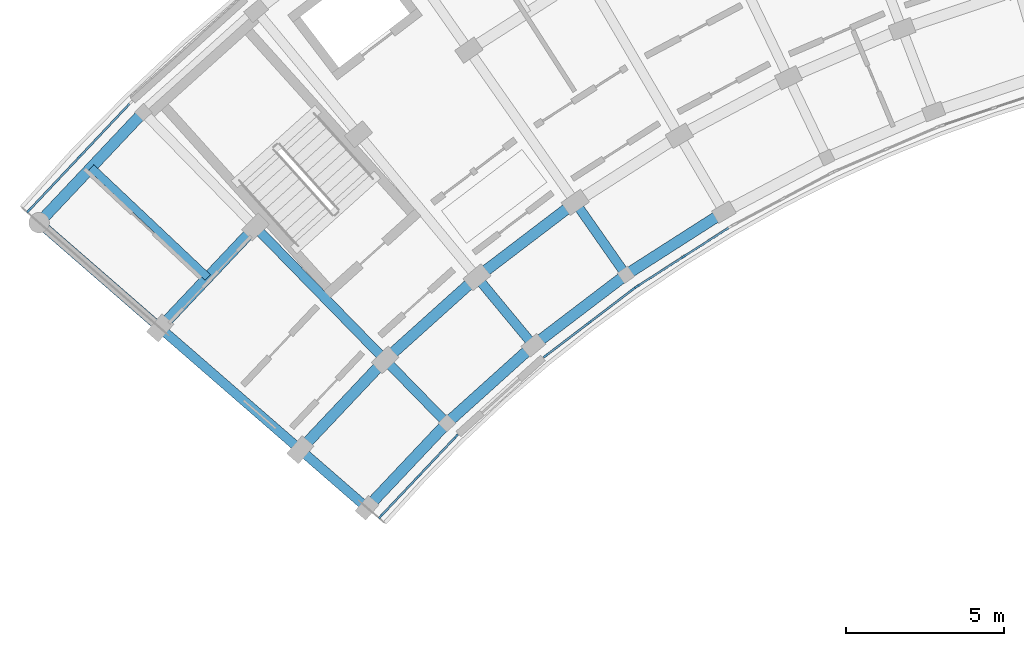
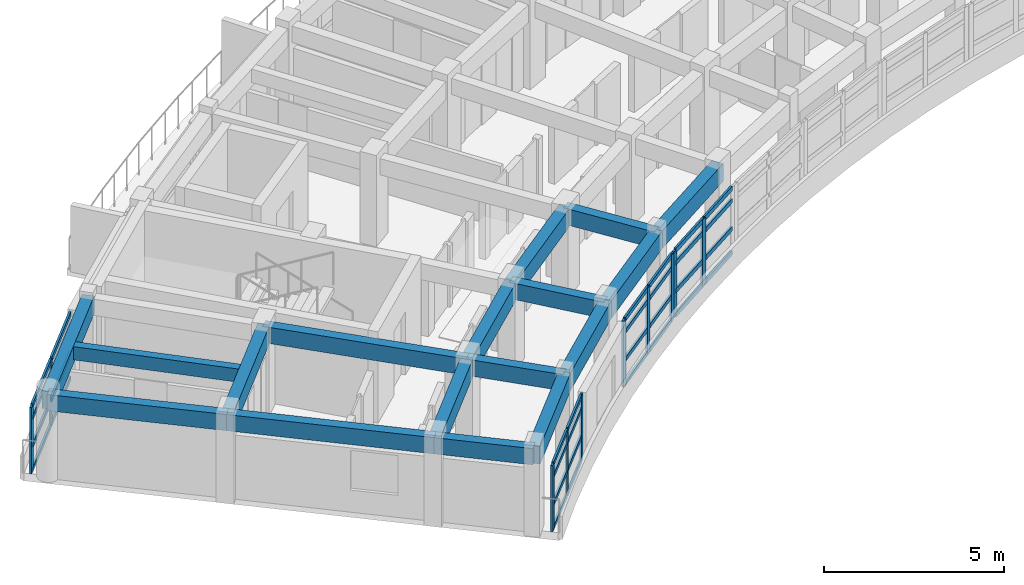
# One storey, part 9 of 40: 42 members, 17 beams, 4 elements without a shape of their own.
"""IFC4 building model written with IfcOpenShell, lengths in metres."""

from ifc_helpers import new_model, si_unit, direction, frame, origin, origin_2d, place, context, subcontext, project, spatial, rectangle, extrude, material, material_profile, profile_set, type_object, element, aggregate, save


model = new_model("IFC4")

# Units and contexts
model_context = context("Model", 3, precision=1e-05, world=origin(), true_north=direction((0.0, 1.0)))
body_context = subcontext(model_context, "Body", "Model", "MODEL_VIEW")
ifc_project = project(units=[si_unit("LENGTHUNIT", "METRE"), si_unit("AREAUNIT", "SQUARE_METRE"), si_unit("VOLUMEUNIT", "CUBIC_METRE"), si_unit("PLANEANGLEUNIT", "RADIAN"), si_unit("MASSUNIT", "GRAM", prefix="KILO")], contexts=[model_context])

# Site, building, storey
site_placement = place(None, origin())
site = spatial("IfcSite", under=ifc_project, at=site_placement, CompositionType="ELEMENT")
building_placement = place(site_placement, origin())
building = spatial("IfcBuilding", under=site, at=building_placement, Name="Zimvara Arc Housing Community", CompositionType="ELEMENT")
storey_placement = place(building_placement, frame((0.0, 0.0, 32.89990234375)))
storey = spatial("IfcBuildingStorey", under=building, at=storey_placement, Name="L10", CompositionType="ELEMENT", Elevation=32.89990234375)

# Beams
ifc_material_1 = material(Name="Concrete C40/50", Category="concrete")
ifc_material_profile_1 = material_profile(ifc_material_1, rectangle(XDim=0.25, YDim=0.449951171875, at=origin_2d()), Name="RC 250x450")
ifc_profile_set_1 = profile_set([ifc_material_profile_1], Name="Concrete C40/50")
beam_type_1 = type_object("IfcBeamType", Name="BM-RC-250x450", PredefinedType="JOIST", material=ifc_profile_set_1)
beam_1_placement = place(storey_placement, frame((5.904296875, 81.3935546875, 2.635009765625), z_axis=(-0.727299876429, 0.686319815936, 0.0), x_axis=(-0.686319815936, -0.727299876429, 0.0)))
element("IfcBeam", 1, at=beam_1_placement, inside=storey, type_object=beam_type_1, Name="bm:blkA:L10:joist:b0", PredefinedType="JOIST", context=body_context, shape_type="SweptSolid", body=[
    extrude(rectangle(XDim=0.25, YDim=0.449951171875, at=origin_2d()), origin(), (0.0, 0.0, 1.0), 5.075927734375),
])
ifc_material_2 = material(Name="Concrete C40/50", Category="concrete")
ifc_material_profile_2 = material_profile(ifc_material_2, rectangle(XDim=0.300048828125, YDim=0.550048828125, at=origin_2d()), Name="RC 300x550")
ifc_profile_set_2 = profile_set([ifc_material_profile_2], Name="Concrete C40/50")
beam_type_2 = type_object("IfcBeamType", Name="BM-RC-300x550", PredefinedType="BEAM", material=ifc_profile_set_2)
beam_2_placement = place(storey_placement, frame((10.947509765625, 74.101318359375, 2.585205078125), z_axis=(-0.754733151583, 0.656031912259, 0.0), x_axis=(-0.656031912259, -0.754733151583, 0.0)))
element("IfcBeam", 2, at=beam_2_placement, inside=storey, type_object=beam_type_2, Name="bm:blkA:L10:rad:b0:r01", PredefinedType="BEAM", context=body_context, shape_type="SweptSolid", body=[
    extrude(rectangle(XDim=0.300048828125, YDim=0.550048828125, at=origin_2d()), origin(), (0.0, 0.0, 1.0), 2.800048828125),
])
beam_3_placement = place(storey_placement, frame((8.834228515625, 75.938232421875, 2.585205078125), z_axis=(-0.754692223258, 0.656078995362, 0.0), x_axis=(-0.656078995362, -0.754692223258, 0.0)))
element("IfcBeam", 3, at=beam_3_placement, inside=storey, type_object=beam_type_2, Name="bm:blkA:L10:rad:b0:r12", PredefinedType="BEAM", context=body_context, shape_type="SweptSolid", body=[
    extrude(rectangle(XDim=0.300048828125, YDim=0.550048828125, at=origin_2d()), origin(), (0.0, 0.0, 1.0), 5.8798828125),
])
beam_4_placement = place(storey_placement, frame((4.396728515625, 79.7958984375, 2.585205078125), z_axis=(-0.754716217499, 0.656051393599, 0.0), x_axis=(-0.656051393599, -0.754716217499, 0.0)))
element("IfcBeam", 4, at=beam_4_placement, inside=storey, type_object=beam_type_2, Name="bm:blkA:L10:rad:b0:r23", PredefinedType="BEAM", context=body_context, shape_type="SweptSolid", body=[
    extrude(rectangle(XDim=0.300048828125, YDim=0.550048828125, at=origin_2d()), origin(), (0.0, 0.0, 1.0), 5.080078125),
])
beam_5_placement = place(storey_placement, frame((13.476318359375, 76.781005859375, 2.585205078125), z_axis=(-0.698643013894, 0.71547043205, 0.0), x_axis=(-0.71547043205, -0.698643013894, 0.0)))
element("IfcBeam", 5, at=beam_5_placement, inside=storey, type_object=beam_type_2, Name="bm:blkA:L10:rad:b1:r01", PredefinedType="BEAM", context=body_context, shape_type="SweptSolid", body=[
    extrude(rectangle(XDim=0.300048828125, YDim=0.550048828125, at=origin_2d()), origin(), (0.0, 0.0, 1.0), 2.800048828125),
])
beam_6_placement = place(storey_placement, frame((11.52001953125, 78.784423828125, 2.585205078125), z_axis=(-0.698669844288, 0.715444231707, 0.0), x_axis=(-0.715444231707, -0.698669844288, 0.0)))
element("IfcBeam", 6, at=beam_6_placement, inside=storey, type_object=beam_type_2, Name="bm:blkA:L10:rad:b1:r12", PredefinedType="BEAM", context=body_context, shape_type="SweptSolid", body=[
    extrude(rectangle(XDim=0.300048828125, YDim=0.550048828125, at=origin_2d()), origin(), (0.0, 0.0, 1.0), 5.8798828125),
])
beam_7_placement = place(storey_placement, frame((16.215087890625, 79.245361328125, 2.585205078125), z_axis=(-0.637917412223, 0.770104781951, 0.0), x_axis=(-0.770104781951, -0.637917412223, 0.0)))
element("IfcBeam", 7, at=beam_7_placement, inside=storey, type_object=beam_type_2, Name="bm:blkA:L10:rad:b2:r01", PredefinedType="BEAM", context=body_context, shape_type="SweptSolid", body=[
    extrude(rectangle(XDim=0.300048828125, YDim=0.550048828125, at=origin_2d()), origin(), (0.0, 0.0, 1.0), 2.800048828125),
])
beam_8_placement = place(storey_placement, frame((19.14599609375, 81.478271484375, 2.585205078125), z_axis=(-0.57297651105, 0.819571789281, 0.0), x_axis=(-0.819571789281, -0.57297651105, 0.0)))
element("IfcBeam", 8, at=beam_8_placement, inside=storey, type_object=beam_type_2, Name="bm:blkA:L10:rad:b3:r01", PredefinedType="BEAM", context=body_context, shape_type="SweptSolid", body=[
    extrude(rectangle(XDim=0.300048828125, YDim=0.550048828125, at=origin_2d()), origin(), (0.0, 0.0, 1.0), 2.7998046875),
])
ifc_material_3 = material(Name="Concrete C40/50", Category="concrete")
ifc_material_profile_3 = material_profile(ifc_material_3, rectangle(XDim=0.35009765625, YDim=0.60009765625, at=origin_2d()), Name="RC 350x600")
ifc_profile_set_3 = profile_set([ifc_material_profile_3], Name="Concrete C40/50")
beam_type_3 = type_object("IfcBeamType", Name="BM-RC-350x600", PredefinedType="BEAM", material=ifc_profile_set_3)
beam_9_placement = place(storey_placement, frame((10.947509765625, 74.101318359375, 2.56005859375), z_axis=(0.686335517678, 0.727285059088, 0.0), x_axis=(-0.727285059088, 0.686335517678, 0.0)))
element("IfcBeam", 9, at=beam_9_placement, inside=storey, type_object=beam_type_3, Name="bm:blkA:L10:chord:r0:b0", PredefinedType="BEAM", context=body_context, shape_type="SweptSolid", body=[
    extrude(rectangle(XDim=0.35009765625, YDim=0.60009765625, at=origin_2d()), origin(), (0.0, 0.0, 1.0), 3.6845703125),
])
beam_10_placement = place(storey_placement, frame((13.476318359375, 76.781005859375, 2.56005859375), z_axis=(0.743366631239, 0.668884183966, 0.0), x_axis=(-0.668884183966, 0.743366631239, 0.0)))
element("IfcBeam", 10, at=beam_10_placement, inside=storey, type_object=beam_type_3, Name="bm:blkA:L10:chord:r0:b1", PredefinedType="BEAM", context=body_context, shape_type="SweptSolid", body=[
    extrude(rectangle(XDim=0.35009765625, YDim=0.60009765625, at=origin_2d()), origin(), (0.0, 0.0, 1.0), 3.684326171875),
])
beam_11_placement = place(storey_placement, frame((16.215087890625, 79.245361328125, 2.56005859375), z_axis=(0.795453014049, 0.606015265847, 0.0), x_axis=(-0.606015265847, 0.795453014049, 0.0)))
element("IfcBeam", 11, at=beam_11_placement, inside=storey, type_object=beam_type_3, Name="bm:blkA:L10:chord:r0:b2", PredefinedType="BEAM", context=body_context, shape_type="SweptSolid", body=[
    extrude(rectangle(XDim=0.35009765625, YDim=0.60009765625, at=origin_2d()), origin(), (0.0, 0.0, 1.0), 3.6845703125),
])
beam_12_placement = place(storey_placement, frame((19.14599609375, 81.478271484375, 2.56005859375), z_axis=(0.842272604079, 0.539051816079, 0.0), x_axis=(-0.539051816079, 0.842272604079, 0.0)))
element("IfcBeam", 12, at=beam_12_placement, inside=storey, type_object=beam_type_3, Name="bm:blkA:L10:chord:r0:b3", PredefinedType="BEAM", context=body_context, shape_type="SweptSolid", body=[
    extrude(rectangle(XDim=0.35009765625, YDim=0.60009765625, at=origin_2d()), origin(), (0.0, 0.0, 1.0), 3.684326171875),
])
beam_13_placement = place(storey_placement, frame((8.834228515625, 75.938232421875, 2.56005859375), z_axis=(0.686315710793, 0.727303750243, 0.0), x_axis=(-0.727303750243, 0.686315710793, 0.0)))
element("IfcBeam", 13, at=beam_13_placement, inside=storey, type_object=beam_type_3, Name="bm:blkA:L10:chord:r1:b0", PredefinedType="BEAM", context=body_context, shape_type="SweptSolid", body=[
    extrude(rectangle(XDim=0.35009765625, YDim=0.60009765625, at=origin_2d()), origin(), (0.0, 0.0, 1.0), 3.913330078125),
])
for number, where, z_axis, x_axis, name in (
    (14, (11.52001953125, 78.784423828125, 2.56005859375), (0.743402719516, 0.668844074965, 0.0), (-0.668844074965, 0.743402719516, 0.0), "bm:blkA:L10:chord:r1:b1"),
    (15, (14.428955078125, 81.401611328125, 2.56005859375), (0.795470387579, 0.605992460749, 0.0), (-0.605992460749, 0.795470387579, 0.0), "bm:blkA:L10:chord:r1:b2"),
):
    element("IfcBeam", number, at=place(storey_placement, frame(where, z_axis=z_axis, x_axis=x_axis)), inside=storey, type_object=beam_type_3, Name=name, PredefinedType="BEAM", context=body_context, shape_type="SweptSolid", body=[
        extrude(rectangle(XDim=0.35009765625, YDim=0.60009765625, at=origin_2d()), origin(), (0.0, 0.0, 1.0), 3.9130859375),
    ])
beam_14_placement = place(storey_placement, frame((4.396728515625, 79.7958984375, 2.56005859375), z_axis=(0.686303637813, 0.727315142648, 0.0), x_axis=(-0.727315142648, 0.686303637813, 0.0)))
element("IfcBeam", 16, at=beam_14_placement, inside=storey, type_object=beam_type_3, Name="bm:blkA:L10:chord:r2:b0", PredefinedType="BEAM", context=body_context, shape_type="SweptSolid", body=[
    extrude(rectangle(XDim=0.35009765625, YDim=0.60009765625, at=origin_2d()), origin(), (0.0, 0.0, 1.0), 4.393310546875),
])
beam_15_placement = place(storey_placement, frame((0.562744140625, 83.128662109375, 2.56005859375), z_axis=(0.6862954451, 0.727322873307, 0.0), x_axis=(-0.727322873307, 0.6862954451, 0.0)))
element("IfcBeam", 17, at=beam_15_placement, inside=storey, type_object=beam_type_3, Name="bm:blkA:L10:chord:r3:b0", PredefinedType="BEAM", context=body_context, shape_type="SweptSolid", body=[
    extrude(rectangle(XDim=0.35009765625, YDim=0.60009765625, at=origin_2d()), origin(), (0.0, 0.0, 1.0), 4.80810546875),
])

# Curtain wall, members
ifc_material_4 = material(Name="Anodised Aluminium AW-6063", Category="aluminium")
curtain_wall_type_1 = type_object("IfcCurtainWallType", Name="CW-SYS-02", PredefinedType="USERDEFINED", material=ifc_material_4)
curtain_wall_1_placement = place(storey_placement, origin())
curtain_wall_1 = element("IfcCurtainWall", 18, at=curtain_wall_1_placement, inside=storey, type_object=curtain_wall_type_1, Name="cw:blkA:L10:in:b0", ObjectType="CURTAIN WALL", PredefinedType="USERDEFINED")
ifc_material_5 = material(Name="Anodised Aluminium AW-6063", Category="aluminium")
ifc_material_profile_4 = material_profile(ifc_material_5, rectangle(XDim=0.06494140625, YDim=0.179931640625, at=origin_2d()), Name="ALU 65x180")
ifc_profile_set_4 = profile_set([ifc_material_profile_4], Name="Anodised Aluminium AW-6063")
member_type_1 = type_object("IfcMemberType", Name="CWM-65x150", PredefinedType="MULLION", material=ifc_profile_set_4)
member_1_placement = place(storey_placement, frame((11.388427734375, 73.840576171875, 0.0), z_axis=(0.0, 0.0, 1.0), x_axis=(-0.727293280483, 0.686326805658, 0.0)))
member_1 = element("IfcMember", 19, at=member_1_placement, type_object=member_type_1, Name="CW02 mullion 1", PredefinedType="MULLION", context=body_context, shape_type="SweptSolid", body=[
    extrude(rectangle(XDim=0.06494140625, YDim=0.179931640625, at=origin_2d()), origin(), (0.0, 0.0, 1.0), 2.25),
])
member_2_placement = place(storey_placement, frame((12.5751953125, 75.098388671875, 0.0), z_axis=(0.0, 0.0, 1.0), x_axis=(-0.727293280483, 0.686326805658, 0.0)))
member_2 = element("IfcMember", 20, at=member_2_placement, type_object=member_type_1, Name="CW02 mullion 2", PredefinedType="MULLION", context=body_context, shape_type="SweptSolid", body=[
    extrude(rectangle(XDim=0.06494140625, YDim=0.179931640625, at=origin_2d()), origin(), (0.0, 0.0, 1.0), 2.25),
])
member_3_placement = place(storey_placement, frame((13.761962890625, 76.35595703125, 0.0), z_axis=(0.0, 0.0, 1.0), x_axis=(-0.727293280483, 0.686326805658, 0.0)))
member_3 = element("IfcMember", 21, at=member_3_placement, type_object=member_type_1, Name="CW02 mullion 3", PredefinedType="MULLION", context=body_context, shape_type="SweptSolid", body=[
    extrude(rectangle(XDim=0.06494140625, YDim=0.179931640625, at=origin_2d()), origin(), (0.0, 0.0, 1.0), 2.25),
])

ifc_material_6 = material(Name="Anodised Aluminium AW-6063", Category="aluminium")
curtain_wall_type_2 = type_object("IfcCurtainWallType", Name="CW-SYS-04", PredefinedType="USERDEFINED", material=ifc_material_6)
curtain_wall_2_placement = place(storey_placement, origin())
curtain_wall_2 = element("IfcCurtainWall", 22, at=curtain_wall_2_placement, inside=storey, type_object=curtain_wall_type_2, Name="cw:blkA:L10:in:b2", ObjectType="CURTAIN WALL", PredefinedType="USERDEFINED")
member_4_placement = place(storey_placement, frame((16.607666015625, 78.91650390625, 0.0), z_axis=(0.0, 0.0, 1.0), x_axis=(-0.605988318533, 0.795473543119, 0.0)))
member_4 = element("IfcMember", 23, at=member_4_placement, type_object=member_type_1, Name="CW04 mullion 1", PredefinedType="MULLION", context=body_context, shape_type="SweptSolid", body=[
    extrude(rectangle(XDim=0.06494140625, YDim=0.179931640625, at=origin_2d()), origin(), (0.0, 0.0, 1.0), 2.25),
])
member_5_placement = place(storey_placement, frame((17.9833984375, 79.96435546875, 0.0), z_axis=(0.0, 0.0, 1.0), x_axis=(-0.605988318533, 0.795473543119, 0.0)))
member_5 = element("IfcMember", 24, at=member_5_placement, type_object=member_type_1, Name="CW04 mullion 2", PredefinedType="MULLION", context=body_context, shape_type="SweptSolid", body=[
    extrude(rectangle(XDim=0.06494140625, YDim=0.179931640625, at=origin_2d()), origin(), (0.0, 0.0, 1.0), 2.25),
])
member_6_placement = place(storey_placement, frame((19.35888671875, 81.012451171875, 0.0), z_axis=(0.0, 0.0, 1.0), x_axis=(-0.605988318533, 0.795473543119, 0.0)))
member_6 = element("IfcMember", 25, at=member_6_placement, type_object=member_type_1, Name="CW04 mullion 3", PredefinedType="MULLION", context=body_context, shape_type="SweptSolid", body=[
    extrude(rectangle(XDim=0.06494140625, YDim=0.179931640625, at=origin_2d()), origin(), (0.0, 0.0, 1.0), 2.25),
])

ifc_material_7 = material(Name="Anodised Aluminium AW-6063", Category="aluminium")
curtain_wall_type_3 = type_object("IfcCurtainWallType", Name="CW-SYS-01", PredefinedType="USERDEFINED", material=ifc_material_7)
curtain_wall_3_placement = place(storey_placement, origin())
curtain_wall_3 = element("IfcCurtainWall", 26, at=curtain_wall_3_placement, inside=storey, type_object=curtain_wall_type_3, Name="cw:blkA:L10:out:b0", ObjectType="CURTAIN WALL", PredefinedType="USERDEFINED")
ifc_material_8 = material(Name="Anodised Aluminium AW-6063", Category="aluminium")
ifc_material_profile_5 = material_profile(ifc_material_8, rectangle(XDim=0.06494140625, YDim=0.195068359375, at=origin_2d()), Name="ALU 65x195")
ifc_profile_set_5 = profile_set([ifc_material_profile_5], Name="Anodised Aluminium AW-6063")
member_type_2 = type_object("IfcMemberType", Name="CWM-65x180", PredefinedType="MULLION", material=ifc_profile_set_5)
member_7_placement = place(storey_placement, frame((0.248779296875, 83.524169921875, 0.0), z_axis=(0.0, 0.0, 1.0), x_axis=(-0.727293647725, 0.686326416495, 0.0)))
member_7 = element("IfcMember", 27, at=member_7_placement, type_object=member_type_2, Name="CW01 mullion 1", PredefinedType="MULLION", context=body_context, shape_type="SweptSolid", body=[
    extrude(rectangle(XDim=0.06494140625, YDim=0.195068359375, at=origin_2d()), origin(), (0.0, 0.0, 1.0), 2.25),
])
member_8_placement = place(storey_placement, frame((1.849365234375, 85.219970703125, 0.0), z_axis=(0.0, 0.0, 1.0), x_axis=(-0.727293647725, 0.686326416495, 0.0)))
member_8 = element("IfcMember", 28, at=member_8_placement, type_object=member_type_2, Name="CW01 mullion 2", PredefinedType="MULLION", context=body_context, shape_type="SweptSolid", body=[
    extrude(rectangle(XDim=0.06494140625, YDim=0.195068359375, at=origin_2d()), origin(), (0.0, 0.0, 1.0), 2.25),
])

ifc_material_9 = material(Name="Anodised Aluminium AW-6063", Category="aluminium")
curtain_wall_type_4 = type_object("IfcCurtainWallType", Name="CW-SYS-05", PredefinedType="USERDEFINED", material=ifc_material_9)
curtain_wall_4_placement = place(storey_placement, origin())
curtain_wall_4 = element("IfcCurtainWall", 29, at=curtain_wall_4_placement, inside=storey, type_object=curtain_wall_type_4, Name="cw:blkA:L10:in:b3", ObjectType="CURTAIN WALL", PredefinedType="USERDEFINED")
member_9_placement = place(storey_placement, frame((19.510498046875, 81.118408203125, 0.0), z_axis=(0.0, 0.0, 1.0), x_axis=(-0.539064085203, 0.842264751752, 0.0)))
member_9 = element("IfcMember", 30, at=member_9_placement, type_object=member_type_2, Name="CW05 mullion 1", PredefinedType="MULLION", context=body_context, shape_type="SweptSolid", body=[
    extrude(rectangle(XDim=0.06494140625, YDim=0.195068359375, at=origin_2d()), origin(), (0.0, 0.0, 1.0), 2.25),
])
member_10_placement = place(storey_placement, frame((20.967041015625, 82.050537109375, 0.0), z_axis=(0.0, 0.0, 1.0), x_axis=(-0.539064085203, 0.842264751752, 0.0)))
member_10 = element("IfcMember", 31, at=member_10_placement, type_object=member_type_2, Name="CW05 mullion 2", PredefinedType="MULLION", context=body_context, shape_type="SweptSolid", body=[
    extrude(rectangle(XDim=0.06494140625, YDim=0.195068359375, at=origin_2d()), origin(), (0.0, 0.0, 1.0), 2.25),
])

# Member
ifc_material_10 = material(Name="Anodised Aluminium AW-6063", Category="aluminium")
ifc_material_profile_6 = material_profile(ifc_material_10, rectangle(XDim=0.06494140625, YDim=0.139892578125, at=origin_2d()), Name="ALU 65x140")
ifc_profile_set_6 = profile_set([ifc_material_profile_6], Name="Anodised Aluminium AW-6063")
member_type_3 = type_object("IfcMemberType", Name="CWT-65x120", PredefinedType="USERDEFINED", material=ifc_profile_set_6)
member_11_placement = place(storey_placement, frame((11.41064453125, 73.8642578125, 0.03271484375), z_axis=(0.686347817597, 0.727273451516, 0.0), x_axis=(-0.727273451516, 0.686347817597, 0.0)))
member_11 = element("IfcMember", 32, at=member_11_placement, type_object=member_type_3, Name="CW02 transom 1.1", ObjectType="TRANSOM", PredefinedType="USERDEFINED", context=body_context, shape_type="SweptSolid", body=[
    extrude(rectangle(XDim=0.06494140625, YDim=0.139892578125, at=origin_2d()), origin(), (0.0, 0.0, 1.0), 1.664306640625),
])

member_12_placement = place(storey_placement, frame((11.41064453125, 73.8642578125, 0.85009765625), z_axis=(0.686347817597, 0.727273451516, 0.0), x_axis=(-0.727273451516, 0.686347817597, 0.0)))
member_12 = element("IfcMember", 33, at=member_12_placement, type_object=member_type_3, Name="CW02 transom 1.2", ObjectType="TRANSOM", PredefinedType="USERDEFINED", context=body_context, shape_type="SweptSolid", body=[
    extrude(rectangle(XDim=0.06494140625, YDim=0.139892578125, at=origin_2d()), origin(), (0.0, 0.0, 1.0), 1.664306640625),
])

member_13_placement = place(storey_placement, frame((11.41064453125, 73.8642578125, 1.800048828125), z_axis=(0.686347817597, 0.727273451516, 0.0), x_axis=(-0.727273451516, 0.686347817597, 0.0)))
member_13 = element("IfcMember", 34, at=member_13_placement, type_object=member_type_3, Name="CW02 transom 1.3", ObjectType="TRANSOM", PredefinedType="USERDEFINED", context=body_context, shape_type="SweptSolid", body=[
    extrude(rectangle(XDim=0.06494140625, YDim=0.139892578125, at=origin_2d()), origin(), (0.0, 0.0, 1.0), 1.664306640625),
])

member_14_placement = place(storey_placement, frame((11.41064453125, 73.8642578125, 2.217529296875), z_axis=(0.686347817597, 0.727273451516, 0.0), x_axis=(-0.727273451516, 0.686347817597, 0.0)))
member_14 = element("IfcMember", 35, at=member_14_placement, type_object=member_type_3, Name="CW02 transom 1.4", ObjectType="TRANSOM", PredefinedType="USERDEFINED", context=body_context, shape_type="SweptSolid", body=[
    extrude(rectangle(XDim=0.06494140625, YDim=0.139892578125, at=origin_2d()), origin(), (0.0, 0.0, 1.0), 1.664306640625),
])

member_15_placement = place(storey_placement, frame((12.597412109375, 75.1220703125, 0.03271484375), z_axis=(0.686347817597, 0.727273451516, 0.0), x_axis=(-0.727273451516, 0.686347817597, 0.0)))
member_15 = element("IfcMember", 36, at=member_15_placement, type_object=member_type_3, Name="CW02 transom 2.1", ObjectType="TRANSOM", PredefinedType="USERDEFINED", context=body_context, shape_type="SweptSolid", body=[
    extrude(rectangle(XDim=0.06494140625, YDim=0.139892578125, at=origin_2d()), origin(), (0.0, 0.0, 1.0), 1.664306640625),
])

member_16_placement = place(storey_placement, frame((12.597412109375, 75.1220703125, 0.85009765625), z_axis=(0.686347817597, 0.727273451516, 0.0), x_axis=(-0.727273451516, 0.686347817597, 0.0)))
member_16 = element("IfcMember", 37, at=member_16_placement, type_object=member_type_3, Name="CW02 transom 2.2", ObjectType="TRANSOM", PredefinedType="USERDEFINED", context=body_context, shape_type="SweptSolid", body=[
    extrude(rectangle(XDim=0.06494140625, YDim=0.139892578125, at=origin_2d()), origin(), (0.0, 0.0, 1.0), 1.664306640625),
])

member_17_placement = place(storey_placement, frame((12.597412109375, 75.1220703125, 1.800048828125), z_axis=(0.686347817597, 0.727273451516, 0.0), x_axis=(-0.727273451516, 0.686347817597, 0.0)))
member_17 = element("IfcMember", 38, at=member_17_placement, type_object=member_type_3, Name="CW02 transom 2.3", ObjectType="TRANSOM", PredefinedType="USERDEFINED", context=body_context, shape_type="SweptSolid", body=[
    extrude(rectangle(XDim=0.06494140625, YDim=0.139892578125, at=origin_2d()), origin(), (0.0, 0.0, 1.0), 1.664306640625),
])

member_18_placement = place(storey_placement, frame((12.597412109375, 75.1220703125, 2.217529296875), z_axis=(0.686347817597, 0.727273451516, 0.0), x_axis=(-0.727273451516, 0.686347817597, 0.0)))
member_18 = element("IfcMember", 39, at=member_18_placement, type_object=member_type_3, Name="CW02 transom 2.4", ObjectType="TRANSOM", PredefinedType="USERDEFINED", context=body_context, shape_type="SweptSolid", body=[
    extrude(rectangle(XDim=0.06494140625, YDim=0.139892578125, at=origin_2d()), origin(), (0.0, 0.0, 1.0), 1.664306640625),
])

aggregate(curtain_wall_1, [member_1, member_2, member_3, member_11, member_12, member_13, member_14, member_15, member_16, member_17, member_18])

member_19_placement = place(storey_placement, frame((16.633544921875, 78.936279296875, 0.03271484375), z_axis=(0.795488960577, 0.605968079687, 0.0), x_axis=(-0.605968079687, 0.795488960577, 0.0)))
member_19 = element("IfcMember", 40, at=member_19_placement, type_object=member_type_3, Name="CW04 transom 1.1", ObjectType="TRANSOM", PredefinedType="USERDEFINED", context=body_context, shape_type="SweptSolid", body=[
    extrude(rectangle(XDim=0.06494140625, YDim=0.139892578125, at=origin_2d()), origin(), (0.0, 0.0, 1.0), 1.664306640625),
])

member_20_placement = place(storey_placement, frame((16.633544921875, 78.936279296875, 0.85009765625), z_axis=(0.795488960577, 0.605968079687, 0.0), x_axis=(-0.605968079687, 0.795488960577, 0.0)))
member_20 = element("IfcMember", 41, at=member_20_placement, type_object=member_type_3, Name="CW04 transom 1.2", ObjectType="TRANSOM", PredefinedType="USERDEFINED", context=body_context, shape_type="SweptSolid", body=[
    extrude(rectangle(XDim=0.06494140625, YDim=0.139892578125, at=origin_2d()), origin(), (0.0, 0.0, 1.0), 1.664306640625),
])

member_21_placement = place(storey_placement, frame((16.633544921875, 78.936279296875, 1.800048828125), z_axis=(0.795488960577, 0.605968079687, 0.0), x_axis=(-0.605968079687, 0.795488960577, 0.0)))
member_21 = element("IfcMember", 42, at=member_21_placement, type_object=member_type_3, Name="CW04 transom 1.3", ObjectType="TRANSOM", PredefinedType="USERDEFINED", context=body_context, shape_type="SweptSolid", body=[
    extrude(rectangle(XDim=0.06494140625, YDim=0.139892578125, at=origin_2d()), origin(), (0.0, 0.0, 1.0), 1.664306640625),
])

member_22_placement = place(storey_placement, frame((16.633544921875, 78.936279296875, 2.217529296875), z_axis=(0.795488960577, 0.605968079687, 0.0), x_axis=(-0.605968079687, 0.795488960577, 0.0)))
member_22 = element("IfcMember", 43, at=member_22_placement, type_object=member_type_3, Name="CW04 transom 1.4", ObjectType="TRANSOM", PredefinedType="USERDEFINED", context=body_context, shape_type="SweptSolid", body=[
    extrude(rectangle(XDim=0.06494140625, YDim=0.139892578125, at=origin_2d()), origin(), (0.0, 0.0, 1.0), 1.664306640625),
])

member_23_placement = place(storey_placement, frame((18.00927734375, 79.984130859375, 0.03271484375), z_axis=(0.795435087713, 0.606038795157, 0.0), x_axis=(-0.606038795157, 0.795435087713, 0.0)))
member_23 = element("IfcMember", 44, at=member_23_placement, type_object=member_type_3, Name="CW04 transom 2.1", ObjectType="TRANSOM", PredefinedType="USERDEFINED", context=body_context, shape_type="SweptSolid", body=[
    extrude(rectangle(XDim=0.06494140625, YDim=0.139892578125, at=origin_2d()), origin(), (0.0, 0.0, 1.0), 1.6640625),
])

member_24_placement = place(storey_placement, frame((18.00927734375, 79.984130859375, 0.85009765625), z_axis=(0.795435087713, 0.606038795157, 0.0), x_axis=(-0.606038795157, 0.795435087713, 0.0)))
member_24 = element("IfcMember", 45, at=member_24_placement, type_object=member_type_3, Name="CW04 transom 2.2", ObjectType="TRANSOM", PredefinedType="USERDEFINED", context=body_context, shape_type="SweptSolid", body=[
    extrude(rectangle(XDim=0.06494140625, YDim=0.139892578125, at=origin_2d()), origin(), (0.0, 0.0, 1.0), 1.6640625),
])

member_25_placement = place(storey_placement, frame((18.00927734375, 79.984130859375, 1.800048828125), z_axis=(0.795435087713, 0.606038795157, 0.0), x_axis=(-0.606038795157, 0.795435087713, 0.0)))
member_25 = element("IfcMember", 46, at=member_25_placement, type_object=member_type_3, Name="CW04 transom 2.3", ObjectType="TRANSOM", PredefinedType="USERDEFINED", context=body_context, shape_type="SweptSolid", body=[
    extrude(rectangle(XDim=0.06494140625, YDim=0.139892578125, at=origin_2d()), origin(), (0.0, 0.0, 1.0), 1.6640625),
])

member_26_placement = place(storey_placement, frame((18.00927734375, 79.984130859375, 2.217529296875), z_axis=(0.795435087713, 0.606038795157, 0.0), x_axis=(-0.606038795157, 0.795435087713, 0.0)))
member_26 = element("IfcMember", 47, at=member_26_placement, type_object=member_type_3, Name="CW04 transom 2.4", ObjectType="TRANSOM", PredefinedType="USERDEFINED", context=body_context, shape_type="SweptSolid", body=[
    extrude(rectangle(XDim=0.06494140625, YDim=0.139892578125, at=origin_2d()), origin(), (0.0, 0.0, 1.0), 1.6640625),
])

aggregate(curtain_wall_2, [member_4, member_5, member_6, member_19, member_20, member_21, member_22, member_23, member_24, member_25, member_26])

ifc_material_11 = material(Name="Anodised Aluminium AW-6063", Category="aluminium")
ifc_material_profile_7 = material_profile(ifc_material_11, rectangle(XDim=0.06494140625, YDim=0.155029296875, at=origin_2d()), Name="ALU 65x155")
ifc_profile_set_7 = profile_set([ifc_material_profile_7], Name="Anodised Aluminium AW-6063")
member_type_4 = type_object("IfcMemberType", Name="CWT-65x140", PredefinedType="USERDEFINED", material=ifc_profile_set_7)
member_27_placement = place(storey_placement, frame((0.271240234375, 83.547607421875, 0.03271484375), z_axis=(0.68623762882, 0.727377423894, 0.0), x_axis=(-0.727377423894, 0.68623762882, 0.0)))
member_27 = element("IfcMember", 48, at=member_27_placement, type_object=member_type_4, Name="CW01 transom 1.1", ObjectType="TRANSOM", PredefinedType="USERDEFINED", context=body_context, shape_type="SweptSolid", body=[
    extrude(rectangle(XDim=0.06494140625, YDim=0.155029296875, at=origin_2d()), origin(), (0.0, 0.0, 1.0), 2.266845703125),
])

member_28_placement = place(storey_placement, frame((0.271240234375, 83.547607421875, 0.85009765625), z_axis=(0.68623762882, 0.727377423894, 0.0), x_axis=(-0.727377423894, 0.68623762882, 0.0)))
member_28 = element("IfcMember", 49, at=member_28_placement, type_object=member_type_4, Name="CW01 transom 1.2", ObjectType="TRANSOM", PredefinedType="USERDEFINED", context=body_context, shape_type="SweptSolid", body=[
    extrude(rectangle(XDim=0.06494140625, YDim=0.155029296875, at=origin_2d()), origin(), (0.0, 0.0, 1.0), 2.266845703125),
])

member_29_placement = place(storey_placement, frame((0.271240234375, 83.547607421875, 1.800048828125), z_axis=(0.68623762882, 0.727377423894, 0.0), x_axis=(-0.727377423894, 0.68623762882, 0.0)))
member_29 = element("IfcMember", 50, at=member_29_placement, type_object=member_type_4, Name="CW01 transom 1.3", ObjectType="TRANSOM", PredefinedType="USERDEFINED", context=body_context, shape_type="SweptSolid", body=[
    extrude(rectangle(XDim=0.06494140625, YDim=0.155029296875, at=origin_2d()), origin(), (0.0, 0.0, 1.0), 2.266845703125),
])

member_30_placement = place(storey_placement, frame((0.271240234375, 83.547607421875, 2.217529296875), z_axis=(0.68623762882, 0.727377423894, 0.0), x_axis=(-0.727377423894, 0.68623762882, 0.0)))
member_30 = element("IfcMember", 51, at=member_30_placement, type_object=member_type_4, Name="CW01 transom 1.4", ObjectType="TRANSOM", PredefinedType="USERDEFINED", context=body_context, shape_type="SweptSolid", body=[
    extrude(rectangle(XDim=0.06494140625, YDim=0.155029296875, at=origin_2d()), origin(), (0.0, 0.0, 1.0), 2.266845703125),
])

member_31_placement = place(storey_placement, frame((1.87158203125, 85.24365234375, 0.03271484375), z_axis=(0.686348357589, 0.727272941911, 0.0), x_axis=(-0.727272941911, 0.686348357589, 0.0)))
member_31 = element("IfcMember", 52, at=member_31_placement, type_object=member_type_4, Name="CW01 transom 2.1", ObjectType="TRANSOM", PredefinedType="USERDEFINED", context=body_context, shape_type="SweptSolid", body=[
    extrude(rectangle(XDim=0.06494140625, YDim=0.155029296875, at=origin_2d()), origin(), (0.0, 0.0, 1.0), 2.266845703125),
])

member_32_placement = place(storey_placement, frame((1.87158203125, 85.24365234375, 0.85009765625), z_axis=(0.686348357589, 0.727272941911, 0.0), x_axis=(-0.727272941911, 0.686348357589, 0.0)))
member_32 = element("IfcMember", 53, at=member_32_placement, type_object=member_type_4, Name="CW01 transom 2.2", ObjectType="TRANSOM", PredefinedType="USERDEFINED", context=body_context, shape_type="SweptSolid", body=[
    extrude(rectangle(XDim=0.06494140625, YDim=0.155029296875, at=origin_2d()), origin(), (0.0, 0.0, 1.0), 2.266845703125),
])

member_33_placement = place(storey_placement, frame((1.87158203125, 85.24365234375, 1.800048828125), z_axis=(0.686348357589, 0.727272941911, 0.0), x_axis=(-0.727272941911, 0.686348357589, 0.0)))
member_33 = element("IfcMember", 54, at=member_33_placement, type_object=member_type_4, Name="CW01 transom 2.3", ObjectType="TRANSOM", PredefinedType="USERDEFINED", context=body_context, shape_type="SweptSolid", body=[
    extrude(rectangle(XDim=0.06494140625, YDim=0.155029296875, at=origin_2d()), origin(), (0.0, 0.0, 1.0), 2.266845703125),
])

member_34_placement = place(storey_placement, frame((1.87158203125, 85.24365234375, 2.217529296875), z_axis=(0.686348357589, 0.727272941911, 0.0), x_axis=(-0.727272941911, 0.686348357589, 0.0)))
member_34 = element("IfcMember", 55, at=member_34_placement, type_object=member_type_4, Name="CW01 transom 2.4", ObjectType="TRANSOM", PredefinedType="USERDEFINED", context=body_context, shape_type="SweptSolid", body=[
    extrude(rectangle(XDim=0.06494140625, YDim=0.155029296875, at=origin_2d()), origin(), (0.0, 0.0, 1.0), 2.266845703125),
])

aggregate(curtain_wall_3, [member_7, member_8, member_27, member_28, member_29, member_30, member_31, member_32, member_33, member_34])

member_35_placement = place(storey_placement, frame((19.537841796875, 81.1357421875, 0.03271484375), z_axis=(0.842263408668, 0.539066183709, 0.0), x_axis=(-0.539066183709, 0.842263408668, 0.0)))
member_35 = element("IfcMember", 56, at=member_35_placement, type_object=member_type_4, Name="CW05 transom 1.1", ObjectType="TRANSOM", PredefinedType="USERDEFINED", context=body_context, shape_type="SweptSolid", body=[
    extrude(rectangle(XDim=0.06494140625, YDim=0.155029296875, at=origin_2d()), origin(), (0.0, 0.0, 1.0), 1.664306640625),
])

member_36_placement = place(storey_placement, frame((19.537841796875, 81.1357421875, 0.85009765625), z_axis=(0.842263408668, 0.539066183709, 0.0), x_axis=(-0.539066183709, 0.842263408668, 0.0)))
member_36 = element("IfcMember", 57, at=member_36_placement, type_object=member_type_4, Name="CW05 transom 1.2", ObjectType="TRANSOM", PredefinedType="USERDEFINED", context=body_context, shape_type="SweptSolid", body=[
    extrude(rectangle(XDim=0.06494140625, YDim=0.155029296875, at=origin_2d()), origin(), (0.0, 0.0, 1.0), 1.664306640625),
])

member_37_placement = place(storey_placement, frame((19.537841796875, 81.1357421875, 1.800048828125), z_axis=(0.842263408668, 0.539066183709, 0.0), x_axis=(-0.539066183709, 0.842263408668, 0.0)))
member_37 = element("IfcMember", 58, at=member_37_placement, type_object=member_type_4, Name="CW05 transom 1.3", ObjectType="TRANSOM", PredefinedType="USERDEFINED", context=body_context, shape_type="SweptSolid", body=[
    extrude(rectangle(XDim=0.06494140625, YDim=0.155029296875, at=origin_2d()), origin(), (0.0, 0.0, 1.0), 1.664306640625),
])

member_38_placement = place(storey_placement, frame((19.537841796875, 81.1357421875, 2.217529296875), z_axis=(0.842263408668, 0.539066183709, 0.0), x_axis=(-0.539066183709, 0.842263408668, 0.0)))
member_38 = element("IfcMember", 59, at=member_38_placement, type_object=member_type_4, Name="CW05 transom 1.4", ObjectType="TRANSOM", PredefinedType="USERDEFINED", context=body_context, shape_type="SweptSolid", body=[
    extrude(rectangle(XDim=0.06494140625, YDim=0.155029296875, at=origin_2d()), origin(), (0.0, 0.0, 1.0), 1.664306640625),
])

member_39_placement = place(storey_placement, frame((20.994384765625, 82.068115234375, 0.03271484375), z_axis=(0.842330007588, 0.538962112135, 0.0), x_axis=(-0.538962112135, 0.842330007588, 0.0)))
member_39 = element("IfcMember", 60, at=member_39_placement, type_object=member_type_4, Name="CW05 transom 2.1", ObjectType="TRANSOM", PredefinedType="USERDEFINED", context=body_context, shape_type="SweptSolid", body=[
    extrude(rectangle(XDim=0.06494140625, YDim=0.155029296875, at=origin_2d()), origin(), (0.0, 0.0, 1.0), 1.664306640625),
])

member_40_placement = place(storey_placement, frame((20.994384765625, 82.068115234375, 0.85009765625), z_axis=(0.842330007588, 0.538962112135, 0.0), x_axis=(-0.538962112135, 0.842330007588, 0.0)))
member_40 = element("IfcMember", 61, at=member_40_placement, type_object=member_type_4, Name="CW05 transom 2.2", ObjectType="TRANSOM", PredefinedType="USERDEFINED", context=body_context, shape_type="SweptSolid", body=[
    extrude(rectangle(XDim=0.06494140625, YDim=0.155029296875, at=origin_2d()), origin(), (0.0, 0.0, 1.0), 1.664306640625),
])

member_41_placement = place(storey_placement, frame((20.994384765625, 82.068115234375, 1.800048828125), z_axis=(0.842330007588, 0.538962112135, 0.0), x_axis=(-0.538962112135, 0.842330007588, 0.0)))
member_41 = element("IfcMember", 62, at=member_41_placement, type_object=member_type_4, Name="CW05 transom 2.3", ObjectType="TRANSOM", PredefinedType="USERDEFINED", context=body_context, shape_type="SweptSolid", body=[
    extrude(rectangle(XDim=0.06494140625, YDim=0.155029296875, at=origin_2d()), origin(), (0.0, 0.0, 1.0), 1.664306640625),
])

member_42_placement = place(storey_placement, frame((20.994384765625, 82.068115234375, 2.217529296875), z_axis=(0.842330007588, 0.538962112135, 0.0), x_axis=(-0.538962112135, 0.842330007588, 0.0)))
member_42 = element("IfcMember", 63, at=member_42_placement, type_object=member_type_4, Name="CW05 transom 2.4", ObjectType="TRANSOM", PredefinedType="USERDEFINED", context=body_context, shape_type="SweptSolid", body=[
    extrude(rectangle(XDim=0.06494140625, YDim=0.155029296875, at=origin_2d()), origin(), (0.0, 0.0, 1.0), 1.664306640625),
])

aggregate(curtain_wall_4, [member_9, member_10, member_35, member_36, member_37, member_38, member_39, member_40, member_41, member_42])

save(model, "model.ifc")
